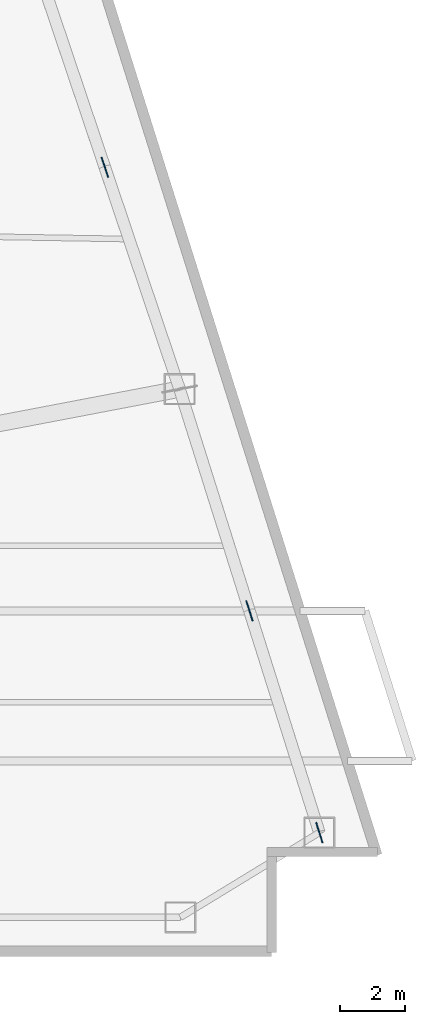
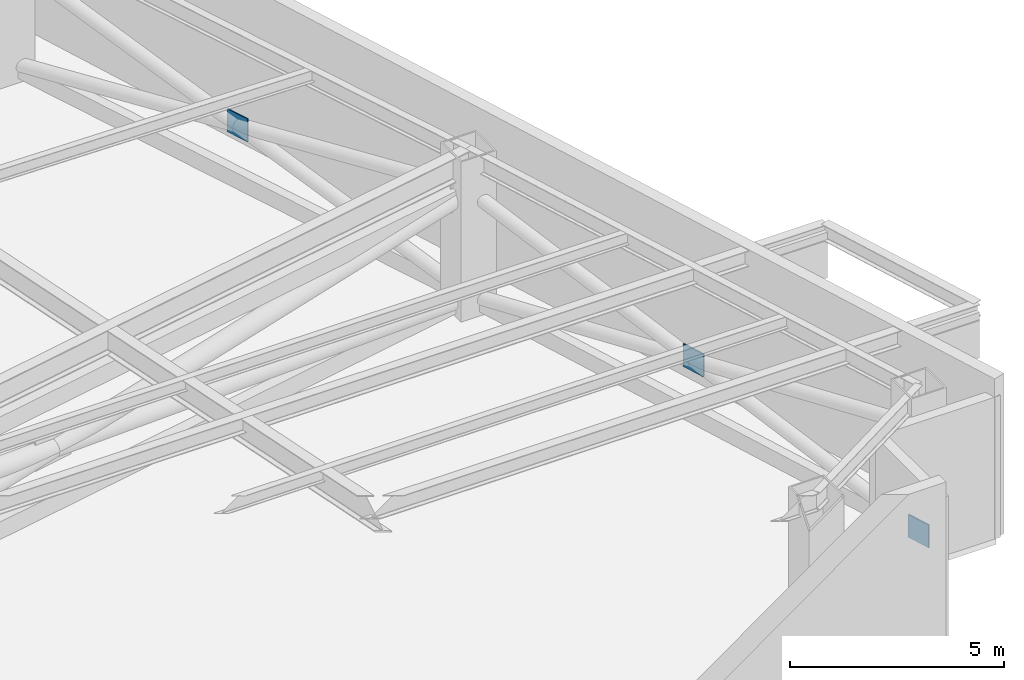
# One storey, part 11 of 18: 3 plates.
"""IFC4 building model written with IfcOpenShell, lengths in metres."""

from ifc_helpers import new_model, si_unit, direction, frame, origin, origin_2d, place, context, subcontext, project, spatial, rectangle, extrude, material, layer, layer_set, type_object, element, save


model = new_model("IFC4")

# Units and contexts
model_context = context("Model", 3, precision=1e-05, world=origin(), true_north=direction((0.0, 1.0)))
body_context = subcontext(model_context, "Body", "Model", "MODEL_VIEW")
ifc_project = project(units=[si_unit("LENGTHUNIT", "METRE"), si_unit("AREAUNIT", "SQUARE_METRE"), si_unit("VOLUMEUNIT", "CUBIC_METRE"), si_unit("PLANEANGLEUNIT", "RADIAN"), si_unit("MASSUNIT", "GRAM", prefix="KILO")], contexts=[model_context])

# Site, building, storey
site_placement = place(None, origin())
site = spatial("IfcSite", under=ifc_project, at=site_placement, CompositionType="ELEMENT")
building_placement = place(site_placement, origin())
building = spatial("IfcBuilding", under=site, at=building_placement, Name="Calvorn Quay Hotel", CompositionType="ELEMENT")
storey_placement = place(building_placement, frame((0.0, 0.0, 46.0)))
storey = spatial("IfcBuildingStorey", under=building, at=storey_placement, Name="L10", CompositionType="ELEMENT", Elevation=46.0)

# Plates
ifc_material = material(Name="Steel Q390GJC", Category="steel")
ifc_layer = layer(ifc_material, 0.035888671875)
ifc_layer_set = layer_set([ifc_layer], Name="PLT-GUSSET-36")
plate_type = type_object("IfcPlateType", Name="PLT-GUSSET-36", PredefinedType="SHEET", material=ifc_layer_set)
for number, where, z_axis, x_axis, name in (
    (1, (61.861083984375, 6.199951171875, 0.025146484375), (0.0, 0.0, 1.0), (-0.300539339916, 0.953769419285, 0.0), "Belt Truss Gusset Plate L10-BE1-A"),
    (2, (59.718017578125, 13.0, 1.52001953125), (0.0, 0.0, 1.0), (-0.300539339916, 0.953769419285, 0.0), "Belt Truss Gusset Plate L10-BE1-X"),
    (3, (55.283935546875, 26.60009765625, 1.52001953125), (0.0, 0.0, 1.0), (-0.319455515932, 0.947601273395, 0.0), "Belt Truss Gusset Plate L10-BE2-X"),
):
    element("IfcPlate", number, at=place(storey_placement, frame(where, z_axis=z_axis, x_axis=x_axis)), inside=storey, type_object=plate_type, Name=name, PredefinedType="SHEET", context=body_context, shape_type="SweptSolid", body=[
        extrude(rectangle(XDim=0.64990234375, YDim=0.035888671875, at=origin_2d()), origin(), (0.0, 0.0, 1.0), 0.64990234375),
    ])

save(model, "model.ifc")
